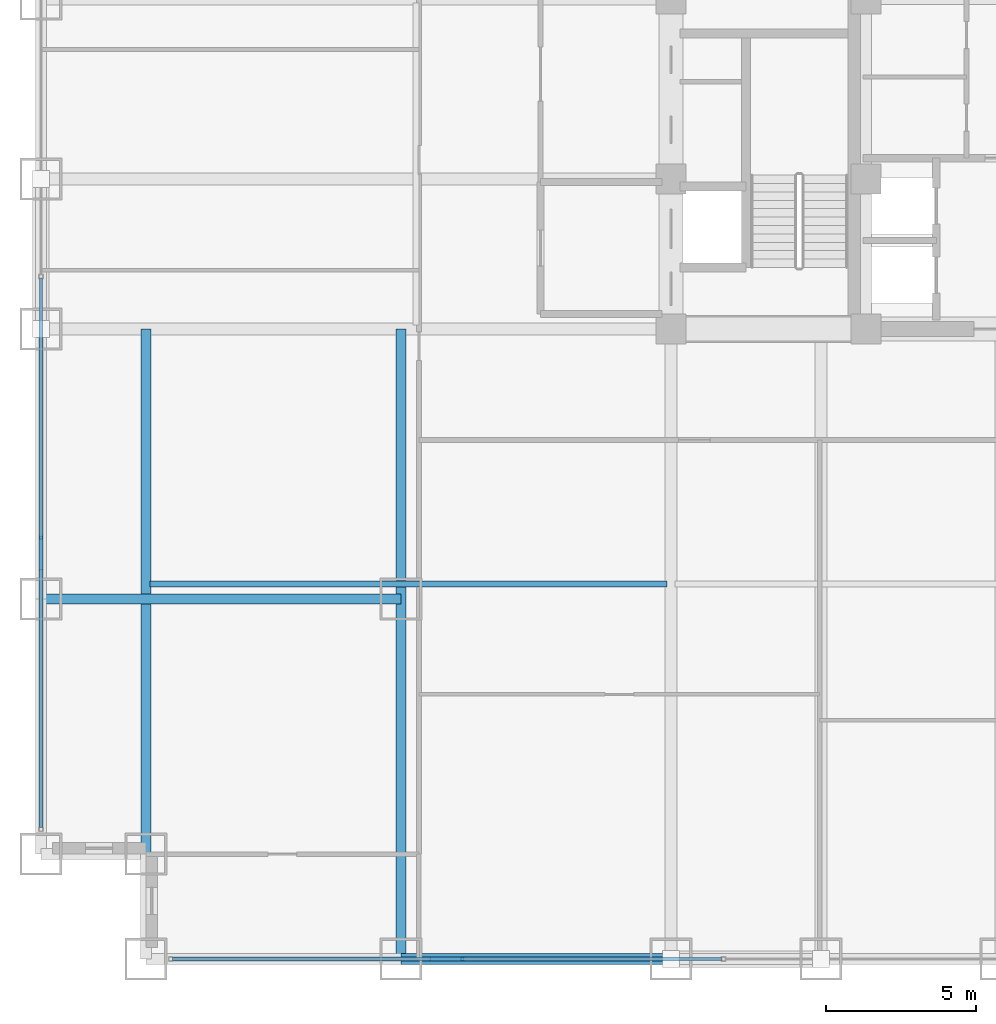
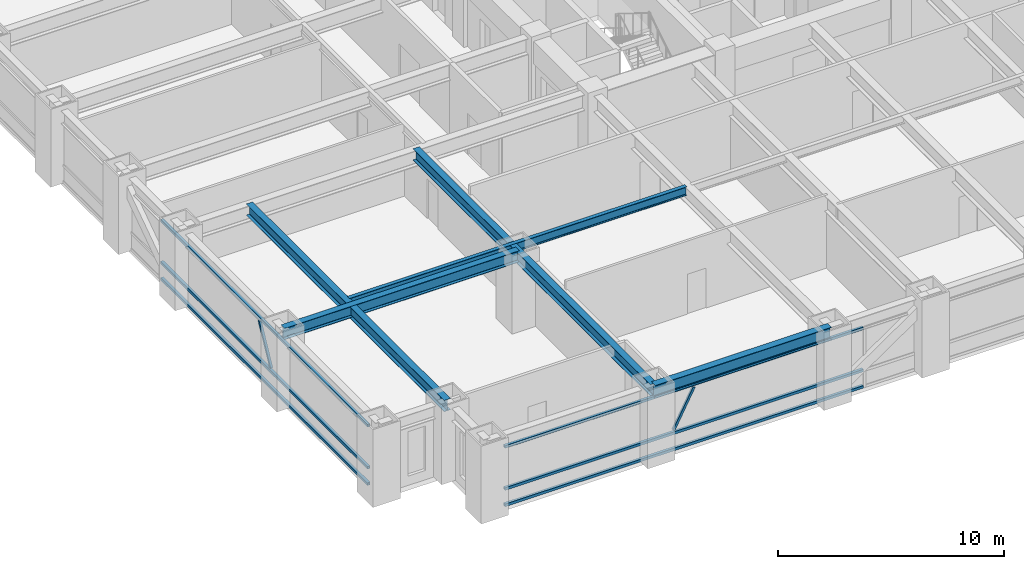
# One storey, part 3 of 28: 8 members, 5 beams, 2 elements without a shape of their own.
"""IFC4 building model written with IfcOpenShell, lengths in metres."""

from ifc_helpers import new_model, si_unit, direction, frame, origin, origin_2d, place, context, subcontext, project, spatial, hollow_rectangle, i_section, extrude, source, transform, mapped, material, material_profile, profile_set, type_object, element, aggregate, save


model = new_model("IFC4")

# Units and contexts
model_context = context("Model", 3, precision=1e-05, world=origin(), true_north=direction((0.0, 1.0)))
body_context = subcontext(model_context, "Body", "Model", "MODEL_VIEW")
ifc_project = project(units=[si_unit("LENGTHUNIT", "METRE"), si_unit("AREAUNIT", "SQUARE_METRE"), si_unit("VOLUMEUNIT", "CUBIC_METRE"), si_unit("PLANEANGLEUNIT", "RADIAN"), si_unit("MASSUNIT", "GRAM", prefix="KILO")], contexts=[model_context])

# Site, building, storey
site_placement = place(None, origin())
site = spatial("IfcSite", under=ifc_project, at=site_placement, CompositionType="ELEMENT")
building_placement = place(site_placement, origin())
building = spatial("IfcBuilding", under=site, at=building_placement, Name="Khorayat Bourse Tower", CompositionType="ELEMENT")
storey_placement = place(building_placement, frame((0.0, 0.0, 66.199951171875)))
storey = spatial("IfcBuildingStorey", under=building, at=storey_placement, Name="L14", CompositionType="ELEMENT", Elevation=66.199951171875)

# Beams
ifc_material_1 = material(Name="Steel ASTM A992 Grade 50", Category="steel")
ifc_material_profile_1 = material_profile(ifc_material_1, i_section(OverallWidth=0.35498046875, OverallDepth=0.695068359375, WebThickness=0.015380859375, FlangeThickness=0.02490234375, FilletRadius=0.01806640625, at=origin_2d()), Name="W690X217")
ifc_profile_set_1 = profile_set([ifc_material_profile_1], Name="Steel ASTM A992 Grade 50")
beam_type_1 = type_object("IfcBeamType", Name="BM-SPAN-690", PredefinedType="SPANDREL", material=ifc_profile_set_1)
shared_shape_1 = source(origin(), body_context, "Body", "SweptSolid", [
    extrude(i_section(OverallWidth=0.35498046875, OverallDepth=0.695068359375, WebThickness=0.015380859375, FlangeThickness=0.02490234375, FilletRadius=0.01806640625, at=origin_2d()), origin(), (0.0, 0.0, 1.0), 9.0),
])
beam_1_placement = place(storey_placement, frame((-20.0, -32.0, 3.592529296875), z_axis=(1.0, 0.0, 0.0), x_axis=(0.0, 1.0, 0.0)))
element("IfcBeam", 1, at=beam_1_placement, inside=storey, type_object=beam_type_1, Name="L14 BM-SPAN-690 BM-L14-SPN-025", PredefinedType="SPANDREL", context=body_context, shape_type="MappedRepresentation", body=[
    mapped(shared_shape_1, transform((0.0, 0.0, 0.0), scale=1.0)),
])
ifc_material_profile_2 = material_profile(ifc_material_1, i_section(OverallWidth=0.324951171875, OverallDepth=0.615966796875, WebThickness=0.013916015625, FlangeThickness=0.021484375, FilletRadius=0.01611328125, at=origin_2d()), Name="W610X174")
ifc_profile_set_2 = profile_set([ifc_material_profile_2], Name="Steel ASTM A992 Grade 50")
beam_type_2 = type_object("IfcBeamType", Name="BM-GIRD-610", PredefinedType="BEAM", material=ifc_profile_set_2)
shared_shape_2 = source(origin(), body_context, "Body", "SweptSolid", [
    extrude(i_section(OverallWidth=0.324951171875, OverallDepth=0.615966796875, WebThickness=0.013916015625, FlangeThickness=0.021484375, FilletRadius=0.01611328125, at=origin_2d()), origin(), (0.0, 0.0, 1.0), 21.0),
])
beam_2_placement = place(storey_placement, frame((-20.0, -32.0, 3.632080078125), z_axis=(0.0, 1.0, 0.0), x_axis=(-1.0, 0.0, 0.0)))
element("IfcBeam", 2, at=beam_2_placement, inside=storey, type_object=beam_type_2, Name="L14 BM-GIRD-610 BM-L14-CNRY-084", PredefinedType="BEAM", context=body_context, shape_type="MappedRepresentation", body=[
    mapped(shared_shape_2, transform((0.0, 0.0, 0.0), scale=1.0)),
])
shared_shape_3 = source(origin(), body_context, "Body", "SweptSolid", [
    extrude(i_section(OverallWidth=0.324951171875, OverallDepth=0.615966796875, WebThickness=0.013916015625, FlangeThickness=0.021484375, FilletRadius=0.01611328125, at=origin_2d()), origin(), (0.0, 0.0, 1.0), 17.5),
])
beam_3_placement = place(storey_placement, frame((-28.5, -28.5, 3.632080078125), z_axis=(0.0, 1.0, 0.0), x_axis=(-1.0, 0.0, 0.0)))
element("IfcBeam", 3, at=beam_3_placement, inside=storey, type_object=beam_type_2, Name="L14 BM-GIRD-610 BM-L14-CNRY-088", PredefinedType="BEAM", context=body_context, shape_type="MappedRepresentation", body=[
    mapped(shared_shape_3, transform((0.0, 0.0, 0.0), scale=1.0)),
])
shared_shape_4 = source(origin(), body_context, "Body", "SweptSolid", [
    extrude(i_section(OverallWidth=0.324951171875, OverallDepth=0.615966796875, WebThickness=0.013916015625, FlangeThickness=0.021484375, FilletRadius=0.01611328125, at=origin_2d()), origin(), (0.0, 0.0, 1.0), 12.0),
])
beam_4_placement = place(storey_placement, frame((-32.0, -20.0, 3.632080078125), z_axis=(1.0, 0.0, 0.0), x_axis=(0.0, 1.0, 0.0)))
element("IfcBeam", 4, at=beam_4_placement, inside=storey, type_object=beam_type_2, Name="L14 BM-GIRD-610 BM-L14-CNRX-093", PredefinedType="BEAM", context=body_context, shape_type="MappedRepresentation", body=[
    mapped(shared_shape_4, transform((0.0, 0.0, 0.0), scale=1.0)),
])
ifc_material_profile_3 = material_profile(ifc_material_1, i_section(OverallWidth=0.194091796875, OverallDepth=0.468994140625, WebThickness=0.0126953125, FlangeThickness=0.0205078125, FilletRadius=0.012939453125, at=origin_2d()), Name="W460X106")
ifc_profile_set_3 = profile_set([ifc_material_profile_3], Name="Steel ASTM A992 Grade 50")
beam_type_3 = type_object("IfcBeamType", Name="BM-JOIST-460", PredefinedType="JOIST", material=ifc_profile_set_3)
shared_shape_5 = source(origin(), body_context, "Body", "SweptSolid", [
    extrude(i_section(OverallWidth=0.194091796875, OverallDepth=0.468994140625, WebThickness=0.0126953125, FlangeThickness=0.0205078125, FilletRadius=0.012939453125, at=origin_2d()), origin(), (0.0, 0.0, 1.0), 17.240234375),
])
beam_5_placement = place(storey_placement, frame((-28.3701171875, -19.5, 3.70556640625), z_axis=(1.0, 0.0, 0.0), x_axis=(0.0, 1.0, 0.0)))
element("IfcBeam", 5, at=beam_5_placement, inside=storey, type_object=beam_type_3, Name="L14 BM-JOIST-460 BM-L14-JSTX-096", PredefinedType="JOIST", context=body_context, shape_type="MappedRepresentation", body=[
    mapped(shared_shape_5, transform((0.0, 0.0, 0.0), scale=1.0)),
])

# Curtain wall, members
ifc_material_2 = material(Name="Aluminium EN AW-6063 T6", Category="aluminium")
curtain_wall_type = type_object("IfcCurtainWallType", Name="CW-SYS-02", PredefinedType="NOTDEFINED", material=ifc_material_2)
curtain_wall_1_placement = place(storey_placement, origin())
curtain_wall_1 = element("IfcCurtainWall", 6, at=curtain_wall_1_placement, inside=storey, type_object=curtain_wall_type, Name="L14 Curtain Wall CW-L14-S1", PredefinedType="NOTDEFINED")
ifc_material_profile_4 = material_profile(ifc_material_2, hollow_rectangle(XDim=0.139892578125, YDim=0.139892578125, WallThickness=0.006103515625, at=origin_2d()), Name="ALU 140x140x6")
ifc_profile_set_4 = profile_set([ifc_material_profile_4], Name="Aluminium EN AW-6063 T6")
member_type_1 = type_object("IfcMemberType", Name="CWT-HORZ-140", PredefinedType="USERDEFINED", material=ifc_profile_set_4)
shared_shape_6 = source(origin(), body_context, "Body", "SweptSolid", [
    extrude(hollow_rectangle(XDim=0.139892578125, YDim=0.139892578125, WallThickness=0.006103515625, at=origin_2d()), origin(), (0.0, 0.0, 1.0), 18.2900390625),
])
member_1_placement = place(storey_placement, frame((-27.610107421875, -32.0, 0.070068359375), z_axis=(1.0, 0.0, 0.0), x_axis=(0.0, 1.0, 0.0)))
member_1 = element("IfcMember", 7, at=member_1_placement, type_object=member_type_1, Name="CW-L14-S1 Horizontal Transom 1-1", ObjectType="TRANSOM", PredefinedType="USERDEFINED", context=body_context, shape_type="MappedRepresentation", body=[
    mapped(shared_shape_6, transform((0.0, 0.0, 0.0), scale=1.0)),
])
member_2_placement = place(storey_placement, frame((-27.610107421875, -32.0, 0.949951171875), z_axis=(1.0, 0.0, 0.0), x_axis=(0.0, 1.0, 0.0)))
member_2 = element("IfcMember", 8, at=member_2_placement, type_object=member_type_1, Name="CW-L14-S1 Horizontal Transom 1-2", ObjectType="TRANSOM", PredefinedType="USERDEFINED", context=body_context, shape_type="MappedRepresentation", body=[
    mapped(shared_shape_6, transform((0.0, 0.0, 0.0), scale=1.0)),
])
member_3_placement = place(storey_placement, frame((-27.610107421875, -32.0, 3.219970703125), z_axis=(1.0, 0.0, 0.0), x_axis=(0.0, 1.0, 0.0)))
member_3 = element("IfcMember", 9, at=member_3_placement, type_object=member_type_1, Name="CW-L14-S1 Horizontal Transom 1-3", ObjectType="TRANSOM", PredefinedType="USERDEFINED", context=body_context, shape_type="MappedRepresentation", body=[
    mapped(shared_shape_6, transform((0.0, 0.0, 0.0), scale=1.0)),
])

curtain_wall_2_placement = place(storey_placement, origin())
curtain_wall_2 = element("IfcCurtainWall", 10, at=curtain_wall_2_placement, inside=storey, type_object=curtain_wall_type, Name="L14 Curtain Wall CW-L14-W1", PredefinedType="NOTDEFINED")
member_4_placement = place(storey_placement, frame((-32.0, -27.610107421875, 0.070068359375), z_axis=(0.0, 1.0, 0.0), x_axis=(-1.0, 0.0, 0.0)))
member_4 = element("IfcMember", 11, at=member_4_placement, type_object=member_type_1, Name="CW-L14-W1 Horizontal Transom 1-1", ObjectType="TRANSOM", PredefinedType="USERDEFINED", context=body_context, shape_type="MappedRepresentation", body=[
    mapped(shared_shape_6, transform((0.0, 0.0, 0.0), scale=1.0)),
])
member_5_placement = place(storey_placement, frame((-32.0, -27.610107421875, 0.949951171875), z_axis=(0.0, 1.0, 0.0), x_axis=(-1.0, 0.0, 0.0)))
member_5 = element("IfcMember", 12, at=member_5_placement, type_object=member_type_1, Name="CW-L14-W1 Horizontal Transom 1-2", ObjectType="TRANSOM", PredefinedType="USERDEFINED", context=body_context, shape_type="MappedRepresentation", body=[
    mapped(shared_shape_6, transform((0.0, 0.0, 0.0), scale=1.0)),
])
member_6_placement = place(storey_placement, frame((-32.0, -27.610107421875, 3.219970703125), z_axis=(0.0, 1.0, 0.0), x_axis=(-1.0, 0.0, 0.0)))
member_6 = element("IfcMember", 13, at=member_6_placement, type_object=member_type_1, Name="CW-L14-W1 Horizontal Transom 1-3", ObjectType="TRANSOM", PredefinedType="USERDEFINED", context=body_context, shape_type="MappedRepresentation", body=[
    mapped(shared_shape_6, transform((0.0, 0.0, 0.0), scale=1.0)),
])

# Member
ifc_material_profile_5 = material_profile(ifc_material_2, hollow_rectangle(XDim=0.1201171875, YDim=0.1201171875, WallThickness=0.0048828125, at=origin_2d()), Name="ALU 120x120x5")
ifc_profile_set_5 = profile_set([ifc_material_profile_5], Name="Aluminium EN AW-6063 T6")
member_type_2 = type_object("IfcMemberType", Name="CWM-DIAG-120", PredefinedType="MULLION", material=ifc_profile_set_5)
shared_shape_7 = source(origin(), body_context, "Body", "SweptSolid", [
    extrude(hollow_rectangle(XDim=0.1201171875, YDim=0.1201171875, WallThickness=0.0048828125, at=origin_2d()), origin(), (0.0, 0.0, 1.0), 2.22607421875),
])
member_7_placement = place(storey_placement, frame((-18.9833984375, -32.0, 1.10009765625), z_axis=(0.465759992596, 0.0, 0.884911085532), x_axis=(0.0, 1.0, 0.0)))
member_7 = element("IfcMember", 14, at=member_7_placement, type_object=member_type_2, Name="CW-L14-S1 Faceted Diagonal Mullion 1", PredefinedType="MULLION", context=body_context, shape_type="MappedRepresentation", body=[
    mapped(shared_shape_7, transform((0.0, 0.0, 0.0), scale=1.0)),
])

aggregate(curtain_wall_1, [member_1, member_2, member_3, member_7])

member_8_placement = place(storey_placement, frame((-32.0, -18.9833984375, 1.10009765625), z_axis=(0.0, 0.465759992596, 0.884911085532), x_axis=(-1.0, 0.0, 0.0)))
member_8 = element("IfcMember", 15, at=member_8_placement, type_object=member_type_2, Name="CW-L14-W1 Faceted Diagonal Mullion 1", PredefinedType="MULLION", context=body_context, shape_type="MappedRepresentation", body=[
    mapped(shared_shape_7, transform((0.0, 0.0, 0.0), scale=1.0)),
])

aggregate(curtain_wall_2, [member_4, member_5, member_6, member_8])

save(model, "model.ifc")
